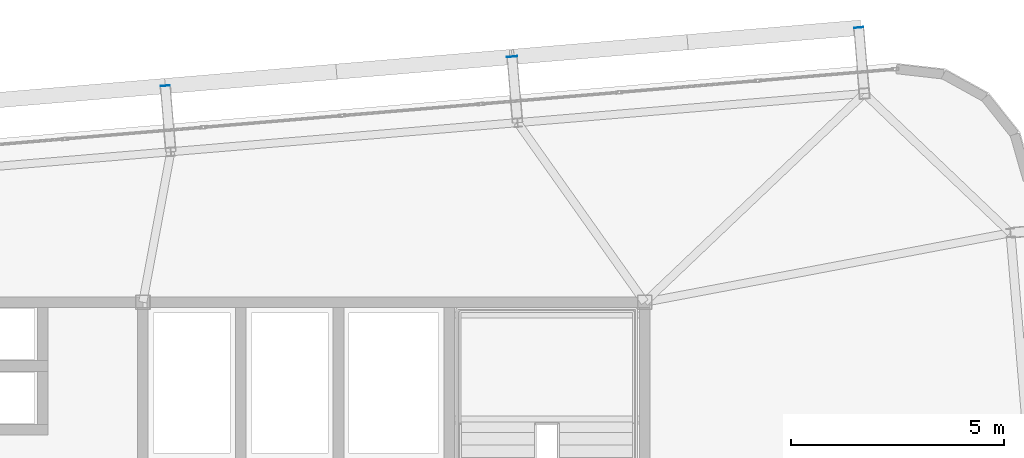
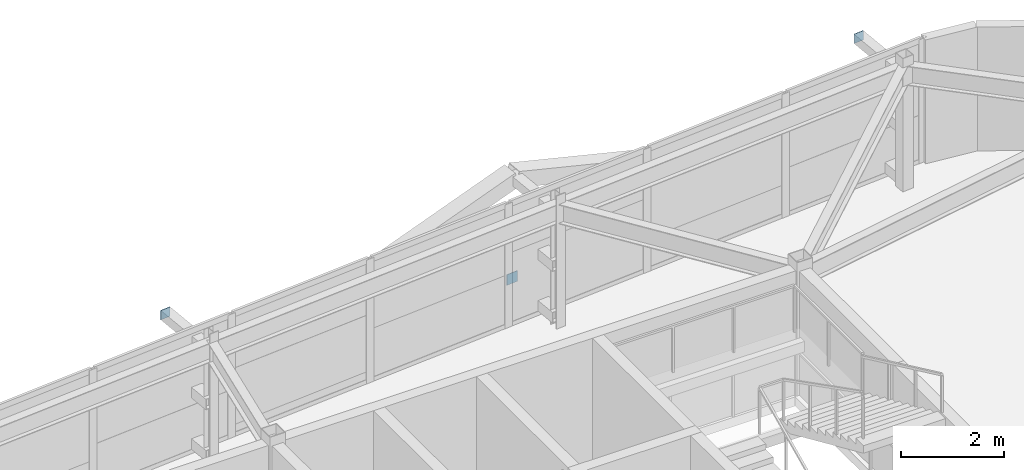
# One storey, part 40 of 46: 3 plates.
"""IFC4 building model written with IfcOpenShell, lengths in metres."""

from ifc_helpers import new_model, si_unit, direction, frame, origin, origin_2d, place, context, subcontext, project, spatial, rectangle, extrude, source, transform, mapped, material, layer, layer_set, type_object, element, save


model = new_model("IFC4")

# Units and contexts
model_context = context("Model", 3, precision=1e-05, world=origin(), true_north=direction((0.0, 1.0)))
body_context = subcontext(model_context, "Body", "Model", "MODEL_VIEW")
ifc_project = project(units=[si_unit("LENGTHUNIT", "METRE"), si_unit("AREAUNIT", "SQUARE_METRE"), si_unit("VOLUMEUNIT", "CUBIC_METRE"), si_unit("PLANEANGLEUNIT", "RADIAN"), si_unit("MASSUNIT", "GRAM", prefix="KILO")], contexts=[model_context])

# Site, building, storey
site_placement = place(None, origin())
site = spatial("IfcSite", under=ifc_project, at=site_placement, CompositionType="ELEMENT")
building_placement = place(site_placement, origin())
building = spatial("IfcBuilding", under=site, at=building_placement, Name="Taldren Reach Tower", CompositionType="ELEMENT")
storey_placement = place(building_placement, frame((0.0, 0.0, 188.300048828125)))
storey = spatial("IfcBuildingStorey", under=building, at=storey_placement, Name="L57", CompositionType="ELEMENT", Elevation=188.300048828125)

# Plates
ifc_material_1 = material(Name="Steel Gr 350 (C350L0)", Category="steel")
ifc_layer_1 = layer(ifc_material_1, 0.011962890625)
ifc_layer_set_1 = layer_set([ifc_layer_1], Name="Steel Gr 350 (C350L0)")
plate_type_1 = type_object("IfcPlateType", Name="PL-CAP-250", PredefinedType="SHEET", material=ifc_layer_set_1)
shared_shape_1 = source(origin(), body_context, "Body", "SweptSolid", [
    extrude(rectangle(XDim=0.25, YDim=0.011962890625, at=origin_2d()), origin(), (0.0, 0.0, 1.0), 0.25),
])
plate_placement = place(storey_placement, frame((47.87890625, 37.77197265625, 0.094970703125), z_axis=(0.0, 0.0, 1.0), x_axis=(0.99649285925, 0.083677843332, 0.0)))
element("IfcPlate", 1, at=plate_placement, inside=storey, type_object=plate_type_1, Name="Tie strut end cap plate B4-N5 L57", PredefinedType="SHEET", context=body_context, shape_type="MappedRepresentation", body=[
    mapped(shared_shape_1, transform((0.0, 0.0, 0.0), scale=1.0)),
])
ifc_material_2 = material(Name="Steel Gr 450 (C450L0)", Category="steel")
ifc_layer_2 = layer(ifc_material_2, 0.011962890625)
ifc_layer_set_2 = layer_set([ifc_layer_2], Name="Steel Gr 450 (C450L0)")
plate_type_2 = type_object("IfcPlateType", Name="PL-CAP-220", PredefinedType="SHEET", material=ifc_layer_set_2)
shared_shape_2 = source(origin(), body_context, "Body", "SweptSolid", [
    extrude(rectangle(XDim=0.219970703125, YDim=0.011962890625, at=origin_2d()), origin(), (0.0, 0.0, 1.0), 0.219970703125),
])
for number, where, z_axis, x_axis, name in (
    (2, (39.7275390625, 37.087646484375, 2.5400390625), (0.0, 0.0, 1.0), (0.99649285925, 0.083677843332, 0.0), "Tie strut end cap plate B4-N4 L57"),
    (3, (56.030029296875, 38.45654296875, 2.5400390625), (0.0, 0.0, 1.0), (0.99649285925, 0.083677843332, 0.0), "Tie strut end cap plate B4-N6 L57"),
):
    element("IfcPlate", number, at=place(storey_placement, frame(where, z_axis=z_axis, x_axis=x_axis)), inside=storey, type_object=plate_type_2, Name=name, PredefinedType="SHEET", context=body_context, shape_type="MappedRepresentation", body=[
        mapped(shared_shape_2, transform((0.0, 0.0, 0.0), scale=1.0)),
    ])

save(model, "model.ifc")
